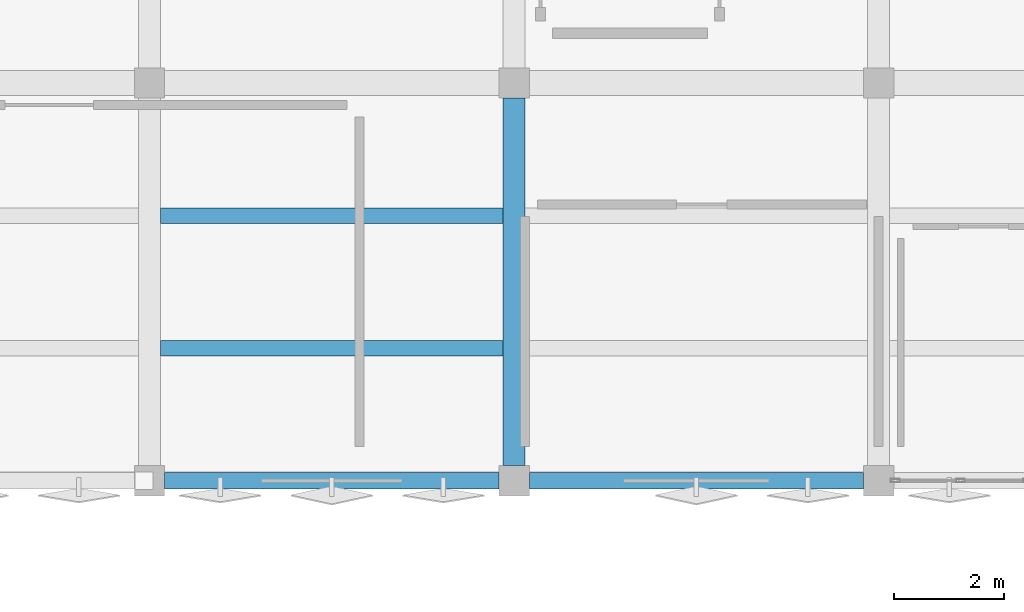
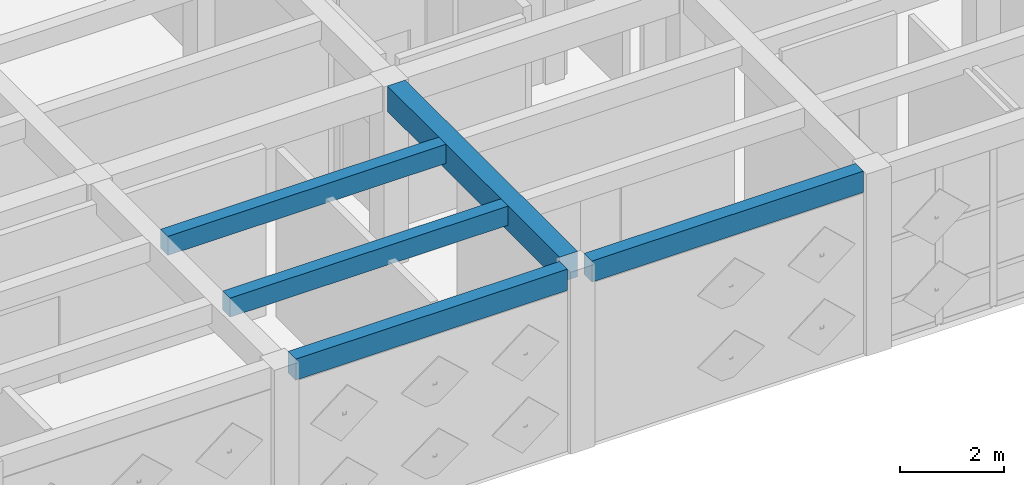
# One storey, part 12 of 39: 5 beams.
"""IFC4 building model written with IfcOpenShell, lengths in metres."""

from ifc_helpers import new_model, si_unit, direction, frame, origin, origin_2d, place, context, subcontext, project, spatial, rectangle, extrude, material, material_profile, profile_set, type_object, element, save


model = new_model("IFC4")

# Units and contexts
model_context = context("Model", 3, precision=1e-05, world=origin(), true_north=direction((0.0, 1.0)))
body_context = subcontext(model_context, "Body", "Model", "MODEL_VIEW")
ifc_project = project(units=[si_unit("LENGTHUNIT", "METRE"), si_unit("AREAUNIT", "SQUARE_METRE"), si_unit("VOLUMEUNIT", "CUBIC_METRE"), si_unit("PLANEANGLEUNIT", "RADIAN"), si_unit("MASSUNIT", "GRAM", prefix="KILO")], contexts=[model_context])

# Site, building, storey
site_placement = place(None, origin())
site = spatial("IfcSite", under=ifc_project, at=site_placement, CompositionType="ELEMENT")
building_placement = place(site_placement, origin())
building = spatial("IfcBuilding", under=site, at=building_placement, Name="Kharisveld Research Institute", CompositionType="ELEMENT")
storey_placement = place(building_placement, frame((0.0, 0.0, 23.10009765625)))
storey = spatial("IfcBuildingStorey", under=building, at=storey_placement, Name="L05", CompositionType="ELEMENT", Elevation=23.10009765625)

# Beams
ifc_material_1 = material(Name="Concrete C40/50", Category="concrete")
ifc_material_profile_1 = material_profile(ifc_material_1, rectangle(XDim=0.39990234375, YDim=0.60009765625, at=origin_2d()))
ifc_profile_set_1 = profile_set([ifc_material_profile_1], Name="Concrete C40/50")
beam_type_1 = type_object("IfcBeamType", Name="BM_RC_400x600", PredefinedType="BEAM", material=ifc_profile_set_1)
beam_placement = place(storey_placement, frame((134.39990234375, 39.47509765625, 3.989990234375), z_axis=(0.0, 1.0, 0.0), x_axis=(-1.0, 0.0, 0.0)))
element("IfcBeam", 1, at=beam_placement, inside=storey, type_object=beam_type_1, Name="BM:V2:L05:V3_0", PredefinedType="BEAM", context=body_context, shape_type="SweptSolid", body=[
    extrude(rectangle(XDim=0.39990234375, YDim=0.60009765625, at=origin_2d()), origin(), (0.0, 0.0, 1.0), 6.64990234375),
])
ifc_material_2 = material(Name="Concrete C40/50", Category="concrete")
ifc_material_profile_2 = material_profile(ifc_material_2, rectangle(XDim=0.300048828125, YDim=0.5, at=origin_2d()))
ifc_profile_set_2 = profile_set([ifc_material_profile_2], Name="Concrete C40/50")
beam_type_2 = type_object("IfcBeamType", Name="SP_RC_300x500", PredefinedType="SPANDREL", material=ifc_profile_set_2)
for number, where, z_axis, x_axis, name in (
    (2, (128.074951171875, 39.199951171875, 4.039794921875), (1.0, 0.0, 0.0), (0.0, 1.0, 0.0), "BM:V2:L05:U2_0"),
    (3, (134.675048828125, 39.199951171875, 4.039794921875), (1.0, 0.0, 0.0), (0.0, 1.0, 0.0), "BM:V2:L05:U3_0"),
):
    element("IfcBeam", number, at=place(storey_placement, frame(where, z_axis=z_axis, x_axis=x_axis)), inside=storey, type_object=beam_type_2, Name=name, PredefinedType="SPANDREL", context=body_context, shape_type="SweptSolid", body=[
        extrude(rectangle(XDim=0.300048828125, YDim=0.5, at=origin_2d()), origin(), (0.0, 0.0, 1.0), 6.050048828125),
    ])
ifc_material_3 = material(Name="Concrete C40/50", Category="concrete")
ifc_material_profile_3 = material_profile(ifc_material_3, rectangle(XDim=0.280029296875, YDim=0.449951171875, at=origin_2d()))
ifc_profile_set_3 = profile_set([ifc_material_profile_3], Name="Concrete C40/50")
beam_type_3 = type_object("IfcBeamType", Name="WB_RC_280x450", PredefinedType="JOIST", material=ifc_profile_set_3)
for number, where, z_axis, x_axis, name in (
    (4, (128.0, 41.60009765625, 4.06494140625), (1.0, 0.0, 0.0), (0.0, 1.0, 0.0), "BM:V2:L05:J_2_0_R1"),
    (5, (128.0, 44.0, 4.06494140625), (1.0, 0.0, 0.0), (0.0, 1.0, 0.0), "BM:V2:L05:J_2_0_R2"),
):
    element("IfcBeam", number, at=place(storey_placement, frame(where, z_axis=z_axis, x_axis=x_axis)), inside=storey, type_object=beam_type_3, Name=name, PredefinedType="JOIST", context=body_context, shape_type="SweptSolid", body=[
        extrude(rectangle(XDim=0.280029296875, YDim=0.449951171875, at=origin_2d()), origin(), (0.0, 0.0, 1.0), 6.199951171875),
    ])

save(model, "model.ifc")
